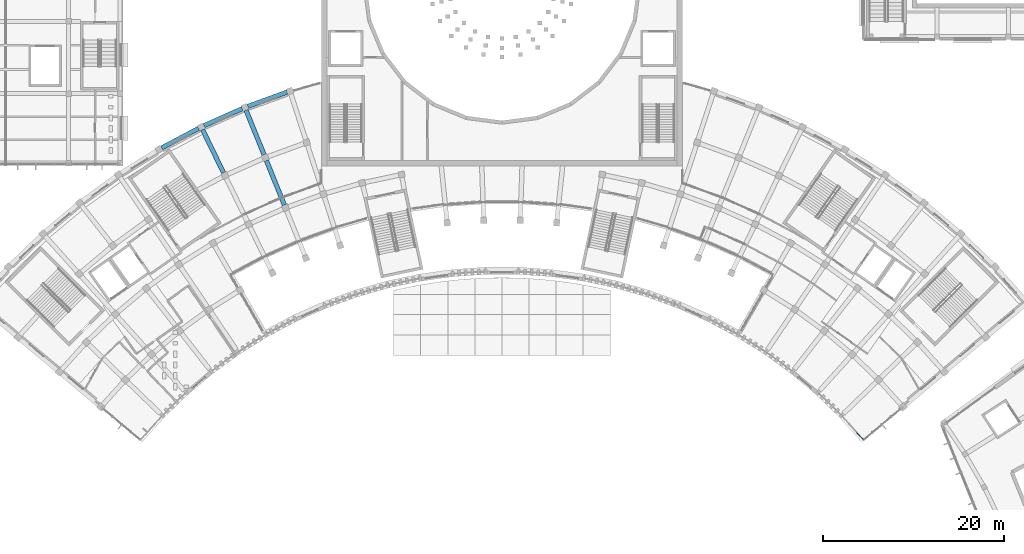
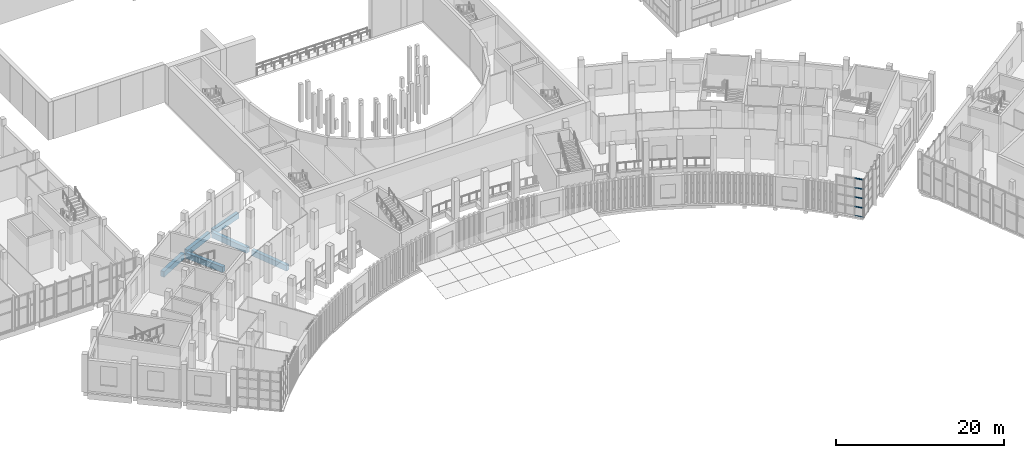
# One storey, part 9 of 112: 6 beams, 5 members, 1 element without a shape of its own.
"""IFC4 building model written with IfcOpenShell, lengths in metres."""

from ifc_helpers import new_model, si_unit, direction, frame, origin, origin_2d, place, context, subcontext, project, spatial, rectangle, extrude, material, layer, layer_set, material_profile, profile_set, type_object, element, aggregate, save


model = new_model("IFC4")

# Units and contexts
model_context = context("Model", 3, precision=1e-05, world=origin(), true_north=direction((0.0, 1.0)))
body_context = subcontext(model_context, "Body", "Model", "MODEL_VIEW")
ifc_project = project(units=[si_unit("LENGTHUNIT", "METRE"), si_unit("AREAUNIT", "SQUARE_METRE"), si_unit("VOLUMEUNIT", "CUBIC_METRE"), si_unit("PLANEANGLEUNIT", "RADIAN"), si_unit("MASSUNIT", "GRAM", prefix="KILO")], contexts=[model_context])

# Site, building, storey
site_placement = place(None, origin())
site = spatial("IfcSite", under=ifc_project, at=site_placement, CompositionType="ELEMENT")
building_placement = place(site_placement, origin())
building = spatial("IfcBuilding", under=site, at=building_placement, Name="Lunette Opera House", CompositionType="ELEMENT")
storey_placement = place(building_placement, frame((0.0, 0.0, 6.0)))
storey = spatial("IfcBuildingStorey", under=building, at=storey_placement, Name="L01", CompositionType="ELEMENT", Elevation=6.0)

# Beams
ifc_material_1 = material(Name="Concrete C35/45", Category="concrete")
ifc_material_profile_1 = material_profile(ifc_material_1, rectangle(XDim=0.5, YDim=0.800048828125, at=origin_2d()), Name="RC BEAM 500X800")
ifc_profile_set_1 = profile_set([ifc_material_profile_1], Name="Concrete C35/45")
beam_type = type_object("IfcBeamType", Name="RC BEAM 500X800", PredefinedType="BEAM", material=ifc_profile_set_1)
for number, where, z_axis, x_axis, name in (
    (1, (65.1650390625, 63.220947265625, -0.6201171875), (-0.438325987036, 0.898816070778, 0.0), (-0.898816070778, -0.438325987036, 0.0), "beam-FC-L01-L01-RB-RL-07-4"),
    (2, (71.89794921875, 59.655029296875, -0.6201171875), (-0.374592790276, 0.927189431278, 0.0), (-0.927189431278, -0.374592790276, 0.0), "beam-FC-L01-L01-RB-RL-08-3"),
    (3, (69.64990234375, 65.218017578125, -0.6201171875), (-0.374592790276, 0.927189431278, 0.0), (-0.927189431278, -0.374592790276, 0.0), "beam-FC-L01-L01-RB-RL-08-4"),
):
    element("IfcBeam", number, at=place(storey_placement, frame(where, z_axis=z_axis, x_axis=x_axis)), inside=storey, type_object=beam_type, Name=name, PredefinedType="BEAM", context=body_context, shape_type="SweptSolid", body=[
        extrude(rectangle(XDim=0.5, YDim=0.800048828125, at=origin_2d()), origin(), (0.0, 0.0, 1.0), 5.3203125),
    ])
beam_placement = place(storey_placement, frame((58.300048828125, 65.97802734375, -0.6201171875), z_axis=(0.883088377591, 0.469206689385, 0.0), x_axis=(-0.469206689385, 0.883088377591, 0.0)))
element("IfcBeam", 4, at=beam_placement, inside=storey, type_object=beam_type, Name="beam-FC-L01-L01-RG-AR-C-RL-06", PredefinedType="BEAM", context=body_context, shape_type="SweptSolid", body=[
    extrude(rectangle(XDim=0.5, YDim=0.800048828125, at=origin_2d()), origin(), (0.0, 0.0, 1.0), 4.624755859375),
])
for number, where, z_axis, x_axis, name in (
    (5, (62.9951171875, 68.446044921875, -0.6201171875), (0.913445407315, 0.406961285451, 0.0), (-0.406961285451, 0.913445407315, 0.0), "beam-FC-L01-L01-RG-AR-C-RL-07"),
    (6, (67.85009765625, 70.58203125, -0.6201171875), (0.939651519364, 0.34213304745, 0.0), (-0.34213304745, 0.939651519364, 0.0), "beam-FC-L01-L01-RG-AR-C-RL-08"),
):
    element("IfcBeam", number, at=place(storey_placement, frame(where, z_axis=z_axis, x_axis=x_axis)), inside=storey, type_object=beam_type, Name=name, PredefinedType="BEAM", context=body_context, shape_type="SweptSolid", body=[
        extrude(rectangle(XDim=0.5, YDim=0.800048828125, at=origin_2d()), origin(), (0.0, 0.0, 1.0), 4.6240234375),
    ])

# Curtain wall, members
ifc_material_2 = material(Name="Aluminium", Category="aluminium")
ifc_layer = layer(ifc_material_2, 0.159912109375)
ifc_layer_set = layer_set([ifc_layer], Name="Aluminium")
curtain_wall_type = type_object("IfcCurtainWallType", Name="CORNER CURTAIN WALL", PredefinedType="NOTDEFINED", material=ifc_layer_set)
curtain_wall_placement = place(storey_placement, origin())
curtain_wall = element("IfcCurtainWall", 7, at=curtain_wall_placement, inside=storey, type_object=curtain_wall_type, Name="Corner Curtain Wall GC-E1 L01", PredefinedType="NOTDEFINED")
ifc_material_3 = material(Name="Aluminium", Category="aluminium")
ifc_material_profile_2 = material_profile(ifc_material_3, rectangle(XDim=0.06005859375, YDim=0.1201171875, at=origin_2d()), Name="TRANSOM 60 X 120")
ifc_profile_set_2 = profile_set([ifc_material_profile_2], Name="Aluminium")
member_type = type_object("IfcMemberType", Name="TRANSOM 60 X 120", PredefinedType="USERDEFINED", material=ifc_profile_set_2)
member_1_placement = place(storey_placement, frame((135.3046875, 34.464111328125, 0.030029296875), z_axis=(0.667874323451, -0.744274067851, 0.0), x_axis=(0.744274067851, 0.667874323451, 0.0)))
member_1 = element("IfcMember", 8, at=member_1_placement, type_object=member_type, Name="FC-X2173 transom 3.1", ObjectType="TRANSOM", PredefinedType="USERDEFINED", context=body_context, shape_type="SweptSolid", body=[
    extrude(rectangle(XDim=0.06005859375, YDim=0.1201171875, at=origin_2d()), origin(), (0.0, 0.0, 1.0), 1.076904296875),
])
member_2_placement = place(storey_placement, frame((135.3046875, 34.464111328125, 1.375), z_axis=(0.667874323451, -0.744274067851, 0.0), x_axis=(0.744274067851, 0.667874323451, 0.0)))
member_2 = element("IfcMember", 9, at=member_2_placement, type_object=member_type, Name="FC-X2173 transom 3.2", ObjectType="TRANSOM", PredefinedType="USERDEFINED", context=body_context, shape_type="SweptSolid", body=[
    extrude(rectangle(XDim=0.06005859375, YDim=0.1201171875, at=origin_2d()), origin(), (0.0, 0.0, 1.0), 1.076904296875),
])
member_3_placement = place(storey_placement, frame((135.3046875, 34.464111328125, 2.75), z_axis=(0.667874323451, -0.744274067851, 0.0), x_axis=(0.744274067851, 0.667874323451, 0.0)))
member_3 = element("IfcMember", 10, at=member_3_placement, type_object=member_type, Name="FC-X2173 transom 3.3", ObjectType="TRANSOM", PredefinedType="USERDEFINED", context=body_context, shape_type="SweptSolid", body=[
    extrude(rectangle(XDim=0.06005859375, YDim=0.1201171875, at=origin_2d()), origin(), (0.0, 0.0, 1.0), 1.076904296875),
])
member_4_placement = place(storey_placement, frame((135.3046875, 34.464111328125, 4.125), z_axis=(0.667874323451, -0.744274067851, 0.0), x_axis=(0.744274067851, 0.667874323451, 0.0)))
member_4 = element("IfcMember", 11, at=member_4_placement, type_object=member_type, Name="FC-X2173 transom 3.4", ObjectType="TRANSOM", PredefinedType="USERDEFINED", context=body_context, shape_type="SweptSolid", body=[
    extrude(rectangle(XDim=0.06005859375, YDim=0.1201171875, at=origin_2d()), origin(), (0.0, 0.0, 1.0), 1.076904296875),
])
member_5_placement = place(storey_placement, frame((135.3046875, 34.464111328125, 5.469970703125), z_axis=(0.667874323451, -0.744274067851, 0.0), x_axis=(0.744274067851, 0.667874323451, 0.0)))
member_5 = element("IfcMember", 12, at=member_5_placement, type_object=member_type, Name="FC-X2173 transom 3.5", ObjectType="TRANSOM", PredefinedType="USERDEFINED", context=body_context, shape_type="SweptSolid", body=[
    extrude(rectangle(XDim=0.06005859375, YDim=0.1201171875, at=origin_2d()), origin(), (0.0, 0.0, 1.0), 1.076904296875),
])
aggregate(curtain_wall, [member_1, member_2, member_3, member_4, member_5])

save(model, "model.ifc")
